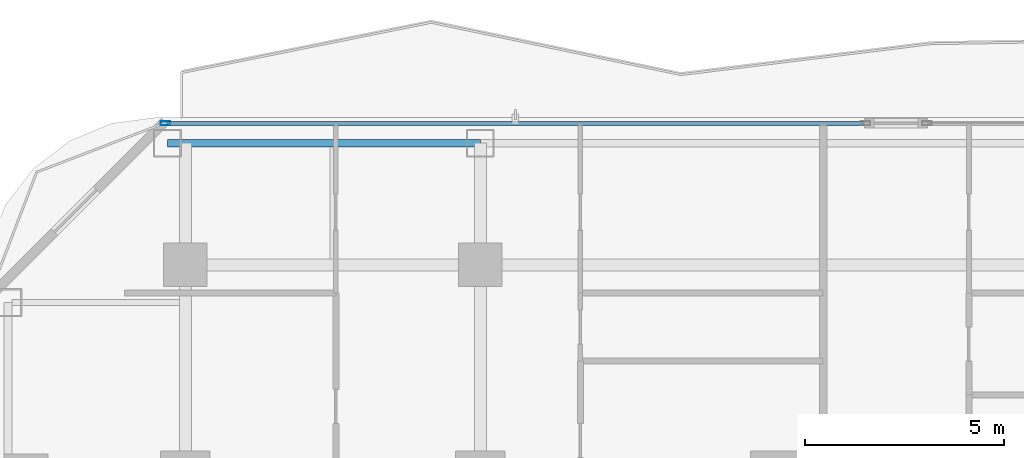
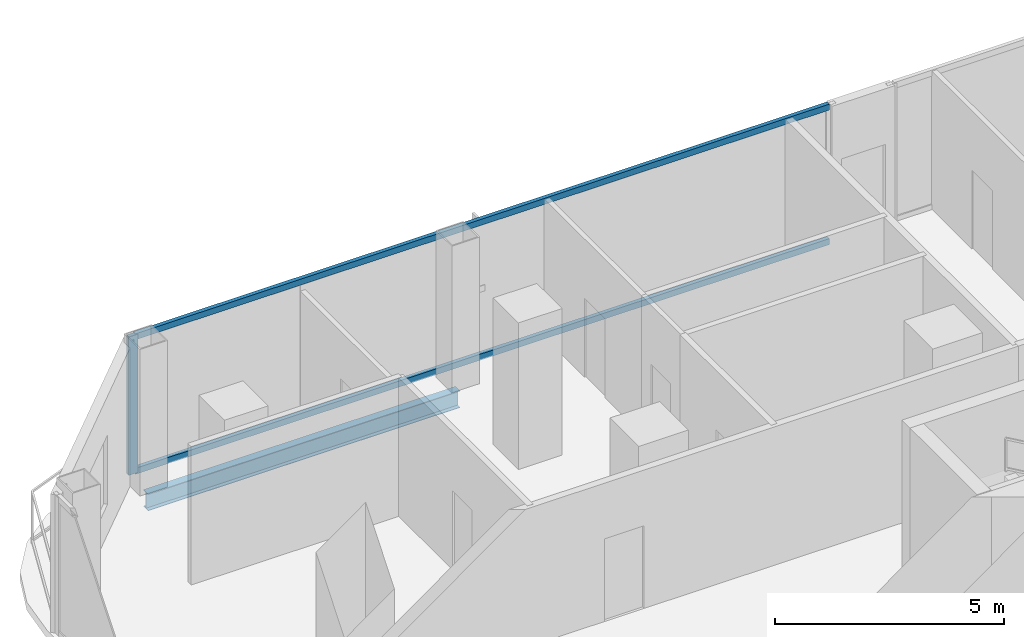
# One storey, part 11 of 29: 3 members, 1 beam, 1 element without a shape of its own.
"""IFC4 building model written with IfcOpenShell, lengths in metres."""

import ifcopenshell
import ifcopenshell.guid

model = None  # the IFC model being written
_history = None  # IfcOwnerHistory: only IFC2X3 demands one
_inside = {}  # id of a spatial element -> (the spatial element, [elements in it])
_under = {}  # id of a project, library or spatial element -> (it, [spatial elements below it])
_declared = {}  # id of a project -> (the project, [libraries it declares])
_typed = {}  # id of a type object -> (the type object, [elements of that type])
_made_of = {}  # id of a material, layer set ... -> (it, [elements and type objects made of it])


def new_model(schema):
    """Start an empty IFC model of exactly this schema.

    Asked for "IFC4X3", IfcOpenShell would pick the latest addendum, in which some entities
    have other attributes; the version numbers below select the first issue.
    IFC2X3 requires an IfcOwnerHistory on every rooted entity: one is made here for all.
    """
    global model, _history
    if schema == "IFC4X3":
        model = ifcopenshell.file(schema_version=(4, 3, 0, 0))
    else:
        model = ifcopenshell.file(schema=schema)
    _inside.clear()
    _under.clear()
    _declared.clear()
    _typed.clear()
    _made_of.clear()
    _history = None
    if model.schema == "IFC2X3":
        org = make("IfcOrganization", Name="unknown")
        user = make(
            "IfcPersonAndOrganization",
            ThePerson=make("IfcPerson", FamilyName="unknown"),
            TheOrganization=org,
        )
        app = make(
            "IfcApplication",
            ApplicationDeveloper=org,
            Version="unknown",
            ApplicationFullName="unknown",
            ApplicationIdentifier="unknown",
        )
        _history = make(
            "IfcOwnerHistory",
            OwningUser=user,
            OwningApplication=app,
            ChangeAction="ADDED",
            CreationDate=0,
        )
    return model


def make(cls, **values):
    """One entity of the class cls with the attributes given. An attribute that is None is left unset."""
    return model.create_entity(
        cls, **{name: value for name, value in values.items() if value is not None}
    )


def rooted(cls, **values):
    """An entity with a GlobalId (a new one), such as an element, a storey or a relation."""
    return make(cls, GlobalId=ifcopenshell.guid.new(), OwnerHistory=_history, **values)


def si_unit(unit_type, name, prefix=None):
    """IfcSIUnit, for example si_unit("LENGTHUNIT", "METRE", prefix="MILLI")."""
    return make("IfcSIUnit", UnitType=unit_type, Prefix=prefix, Name=name)


def assignment(units):
    """IfcUnitAssignment: the units of a project."""
    return None if units is None else make("IfcUnitAssignment", Units=units)


def point(xyz):
    """IfcCartesianPoint."""
    return None if xyz is None else make("IfcCartesianPoint", Coordinates=xyz)


def direction(xyz):
    """IfcDirection."""
    return None if xyz is None else make("IfcDirection", DirectionRatios=xyz)


def frame(location, z_axis=None, x_axis=None):
    """IfcAxis2Placement3D, a coordinate frame: its origin and axes. An axis left out is left unset."""
    return make(
        "IfcAxis2Placement3D",
        Location=point(location),
        Axis=direction(z_axis),
        RefDirection=direction(x_axis),
    )


def frame_2d(location, x_axis=None):
    """IfcAxis2Placement2D, a coordinate frame in the plane: its origin and x axis."""
    return make(
        "IfcAxis2Placement2D", Location=point(location), RefDirection=direction(x_axis)
    )


def origin():
    """The frame at (0, 0, 0) with its axes left unset."""
    return frame((0.0, 0.0, 0.0))


def origin_2d():
    """The frame at (0, 0) in the plane with its x axis left unset."""
    return frame_2d((0.0, 0.0))


def place(relative_to, where):
    """IfcLocalPlacement: puts the frame where relative to a parent placement (None: the world)."""
    return make(
        "IfcLocalPlacement", PlacementRelTo=relative_to, RelativePlacement=where
    )


def context(
    kind, dimensions, precision=None, world=None, true_north=None, identifier=None
):
    """IfcGeometricRepresentationContext, for example the 3D "Model" context."""
    return make(
        "IfcGeometricRepresentationContext",
        ContextIdentifier=identifier,
        ContextType=kind,
        CoordinateSpaceDimension=dimensions,
        Precision=precision,
        WorldCoordinateSystem=world,
        TrueNorth=true_north,
    )


def subcontext(parent, identifier, kind, view, scale=None):
    """IfcGeometricRepresentationSubContext, for example "Body" below "Model"."""
    return make(
        "IfcGeometricRepresentationSubContext",
        ContextIdentifier=identifier,
        ContextType=kind,
        ParentContext=parent,
        TargetScale=scale,
        TargetView=view,
    )


def project(units=None, contexts=None):
    """IfcProject with its units and contexts."""
    return rooted(
        "IfcProject",
        Name="project",
        RepresentationContexts=contexts,
        UnitsInContext=assignment(units),
    )


def spatial(cls, under=None, at=None, **own):
    """A site, building, storey or space (cls), placed at a placement, below another one or the project."""
    s = rooted(cls, ObjectPlacement=at, **own)
    if under is not None:
        _under.setdefault(under.id(), (under, []))[1].append(s)
    return s


def profile(cls, at=None, kind="AREA", **sizes):
    """A parametric profile (cls). Its sizes go by their IFC names, for example OverallWidth=200.0."""
    return make(cls, ProfileType=kind, Position=at, **sizes)


def hollow_rectangle(**sizes):
    """IfcRectangleHollowProfileDef."""
    return profile("IfcRectangleHollowProfileDef", **sizes)


def i_section(**sizes):
    """IfcIShapeProfileDef."""
    return profile("IfcIShapeProfileDef", **sizes)


def extrude(swept, where, along, depth):
    """IfcExtrudedAreaSolid: the profile swept, set in the frame where, extruded along a direction by depth."""
    return make(
        "IfcExtrudedAreaSolid",
        SweptArea=swept,
        Position=where,
        ExtrudedDirection=direction(along),
        Depth=depth,
    )


def shape(context_of_items, identifier, shape_type, items):
    """IfcShapeRepresentation: the items that make up one representation, for example the "Body"."""
    return make(
        "IfcShapeRepresentation",
        ContextOfItems=context_of_items,
        RepresentationIdentifier=identifier,
        RepresentationType=shape_type,
        Items=items,
    )


def material(Name=None, Category=None):
    """IfcMaterial."""
    return make("IfcMaterial", Name=Name, Category=Category)


def layer(
    of_material, thickness, ventilated=None, Name=None, Category=None, Priority=None
):
    """IfcMaterialLayer: one layer of a wall or slab, of a material (None: an air gap)."""
    return make(
        "IfcMaterialLayer",
        Material=of_material,
        LayerThickness=thickness,
        IsVentilated=ventilated,
        Name=Name,
        Category=Category,
        Priority=Priority,
    )


def layer_set(layers, Name=None):
    """IfcMaterialLayerSet."""
    return make("IfcMaterialLayerSet", MaterialLayers=layers, LayerSetName=Name)


def material_profile(
    of_material, cross_section, Name=None, Category=None, Priority=None
):
    """IfcMaterialProfile: a cross section and its material."""
    return make(
        "IfcMaterialProfile",
        Name=Name,
        Material=of_material,
        Profile=cross_section,
        Priority=Priority,
        Category=Category,
    )


def profile_set(profiles, Name=None, composite=None):
    """IfcMaterialProfileSet."""
    return make(
        "IfcMaterialProfileSet",
        Name=Name,
        MaterialProfiles=profiles,
        CompositeProfile=composite,
    )


def made_of(thing, what):
    """Note that an element or type object is made of a material, layer set ...; save() writes the relation."""
    if what is not None:
        _made_of.setdefault(what.id(), (what, []))[1].append(thing)
    return thing


def type_object(cls, material=None, **own):
    """A type object (cls), such as IfcWallType, which elements share."""
    return made_of(rooted(cls, **own), material)


def element(
    cls,
    number,
    at=None,
    inside=None,
    cuts=None,
    type_object=None,
    material=None,
    context=None,
    identifier="Body",
    shape_type=None,
    held_by="IfcProductDefinitionShape",
    body=None,
    shapes=None,
    **own,
):
    """One element of the class cls, such as IfcWall. Its Tag is "e" and its number.

    at: its placement. inside: the storey or other place that contains it. cuts: it is an
    opening in that element (IfcRelVoidsElement). A single representation is given by context,
    identifier, shape_type and body (its items); several are given by shapes. held_by: the class
    of the entity that holds the representations. save() writes the other relations.
    """
    e = rooted(cls, Tag="e%d" % number, ObjectPlacement=at, **own)
    if body is not None:
        shapes = [shape(context, identifier, shape_type, body)]
    if shapes is not None:
        e.Representation = make(held_by, Representations=shapes)
    if inside is not None:
        _inside.setdefault(inside.id(), (inside, []))[1].append(e)
    if cuts is not None:
        rooted(
            "IfcRelVoidsElement", RelatingBuildingElement=cuts, RelatedOpeningElement=e
        )
    if type_object is not None:
        _typed.setdefault(type_object.id(), (type_object, []))[1].append(e)
    return made_of(e, material)


def aggregate(whole, parts):
    """IfcRelAggregates: a whole, such as a stair, and the parts it consists of."""
    return rooted("IfcRelAggregates", RelatingObject=whole, RelatedObjects=parts)


def save(model, path):
    """Write the relations noted so far, then the file.

    IfcRelAggregates (storeys below a building ...), IfcRelContainedInSpatialStructure (elements
    in a storey), IfcRelDefinesByType, IfcRelAssociatesMaterial and IfcRelDeclares: one each for
    every whole, place, type object, material and project.
    """
    for whole, parts in _under.values():
        aggregate(whole, parts)
    for where, things in _inside.values():
        rooted(
            "IfcRelContainedInSpatialStructure",
            RelatedElements=things,
            RelatingStructure=where,
        )
    for kind, things in _typed.values():
        rooted("IfcRelDefinesByType", RelatedObjects=things, RelatingType=kind)
    for what, things in _made_of.values():
        rooted("IfcRelAssociatesMaterial", RelatedObjects=things, RelatingMaterial=what)
    for by, libraries in _declared.values():
        rooted("IfcRelDeclares", RelatingContext=by, RelatedDefinitions=libraries)
    model.write(path)


model = new_model("IFC4")

# Units and contexts
model_context = context("Model", 3, precision=1e-05, world=origin(), true_north=direction((0.0, 1.0)))
body_context = subcontext(model_context, "Body", "Model", "MODEL_VIEW")
ifc_project = project(units=[si_unit("LENGTHUNIT", "METRE"), si_unit("AREAUNIT", "SQUARE_METRE"), si_unit("VOLUMEUNIT", "CUBIC_METRE"), si_unit("PLANEANGLEUNIT", "RADIAN"), si_unit("MASSUNIT", "GRAM", prefix="KILO")], contexts=[model_context])

# Site, building, storey
site_placement = place(None, origin())
site = spatial("IfcSite", under=ifc_project, at=site_placement, CompositionType="ELEMENT")
building_placement = place(site_placement, origin())
building = spatial("IfcBuilding", under=site, at=building_placement, Name="Khorvyn Point Tower", CompositionType="ELEMENT")
storey_placement = place(building_placement, frame((0.0, 0.0, 144.60009765625)))
storey = spatial("IfcBuildingStorey", under=building, at=storey_placement, Name="L36", CompositionType="ELEMENT", Elevation=144.60009765625)

# Curtain wall, members
ifc_material_1 = material(Name="Anodised aluminium 6063-T6 and laminated Low-E glass", Category="aluminium")
ifc_layer = layer(ifc_material_1, 0.18994140625)
ifc_layer_set = layer_set([ifc_layer], Name="Stick-Built Acoustic Curtain Wall CW-SYS-03")
curtain_wall_type = type_object("IfcCurtainWallType", Name="Stick-Built Acoustic Curtain Wall CW-SYS-03", PredefinedType="NOTDEFINED", material=ifc_layer_set)
curtain_wall_placement = place(storey_placement, origin())
curtain_wall = element("IfcCurtainWall", 1, at=curtain_wall_placement, inside=storey, type_object=curtain_wall_type, Name="Curtain Wall", PredefinedType="NOTDEFINED")
ifc_material_2 = material(Name="Anodised aluminium 6063-T6", Category="aluminium")
ifc_material_profile_1 = material_profile(ifc_material_2, hollow_rectangle(XDim=0.10009765625, YDim=0.239990234375, WallThickness=0.0048828125, at=origin_2d()))
ifc_profile_set_1 = profile_set([ifc_material_profile_1], Name="Anodised aluminium 6063-T6 ALU-MUL-100x240")
member_type_1 = type_object("IfcMemberType", Name="Anodised Aluminium 6063-T6 Mullion ALU-MUL-100x240", PredefinedType="MULLION", material=ifc_profile_set_1)
member_1_placement = place(storey_placement, frame((-15.300048828125, 23.64990234375, 0.0), z_axis=(0.0, 0.0, 1.0), x_axis=(0.0, 1.0, 0.0)))
member_1 = element("IfcMember", 2, at=member_1_placement, type_object=member_type_1, Name="Transom", PredefinedType="MULLION", context=body_context, shape_type="SweptSolid", body=[
    extrude(hollow_rectangle(XDim=0.10009765625, YDim=0.239990234375, WallThickness=0.0048828125, at=origin_2d()), origin(), (0.0, 0.0, 1.0), 3.679931640625),
])
ifc_material_profile_2 = material_profile(ifc_material_2, hollow_rectangle(XDim=0.10009765625, YDim=0.159912109375, WallThickness=0.00439453125, at=origin_2d()))
ifc_profile_set_2 = profile_set([ifc_material_profile_2], Name="Anodised aluminium 6063-T6 ALU-TRN-100x160")
member_type_2 = type_object("IfcMemberType", Name="Anodised Aluminium 6063-T6 Transom ALU-TRN-100x160", PredefinedType="USERDEFINED", material=ifc_profile_set_2)
member_2_placement = place(storey_placement, frame((-15.25, 23.64990234375, 0.0498046875), z_axis=(1.0, 0.0, 0.0), x_axis=(0.0, 1.0, 0.0)))
member_2 = element("IfcMember", 3, at=member_2_placement, type_object=member_type_2, Name="Transom", ObjectType="TRANSOM", PredefinedType="USERDEFINED", context=body_context, shape_type="SweptSolid", body=[
    extrude(hollow_rectangle(XDim=0.10009765625, YDim=0.159912109375, WallThickness=0.00439453125, at=origin_2d()), origin(), (0.0, 0.0, 1.0), 17.4619140625),
])
member_3_placement = place(storey_placement, frame((-15.25, 23.64990234375, 3.6298828125), z_axis=(1.0, 0.0, 0.0), x_axis=(0.0, 1.0, 0.0)))
member_3 = element("IfcMember", 4, at=member_3_placement, type_object=member_type_2, Name="Transom", ObjectType="TRANSOM", PredefinedType="USERDEFINED", context=body_context, shape_type="SweptSolid", body=[
    extrude(hollow_rectangle(XDim=0.10009765625, YDim=0.159912109375, WallThickness=0.00439453125, at=origin_2d()), origin(), (0.0, 0.0, 1.0), 17.4619140625),
])
aggregate(curtain_wall, [member_1, member_2, member_3])

# Beam
ifc_material_3 = material(Name="Steel S355", Category="steel")
ifc_material_profile_3 = material_profile(ifc_material_3, i_section(OverallWidth=0.199951171875, OverallDepth=0.449951171875, WebThickness=0.009033203125, FlangeThickness=0.013916015625, at=origin_2d()))
ifc_profile_set_3 = profile_set([ifc_material_profile_3], Name="Steel S355 H450x200x9x14")
beam_type = type_object("IfcBeamType", Name="Steel S355 Spandrel H450x200x9x14", PredefinedType="SPANDREL", material=ifc_profile_set_3)
beam_placement = place(storey_placement, frame((-15.25, 23.14990234375, -0.445068359375), z_axis=(1.0, 0.0, 0.0), x_axis=(0.0, 1.0, 0.0)))
element("IfcBeam", 5, at=beam_placement, inside=storey, type_object=beam_type, Name="Beam", PredefinedType="SPANDREL", context=body_context, shape_type="SweptSolid", body=[
    extrude(i_section(OverallWidth=0.199951171875, OverallDepth=0.449951171875, WebThickness=0.009033203125, FlangeThickness=0.013916015625, at=origin_2d()), origin(), (0.0, 0.0, 1.0), 7.85009765625),
])

save(model, "model.ifc")
